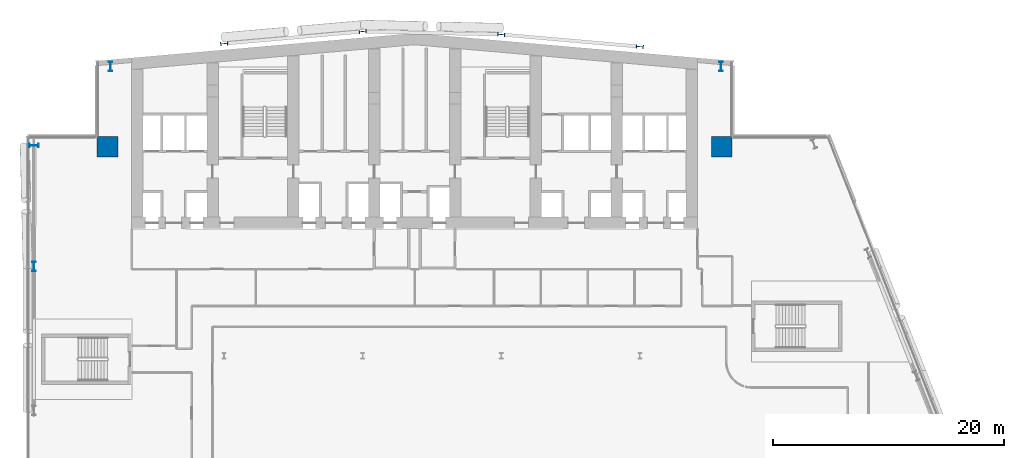
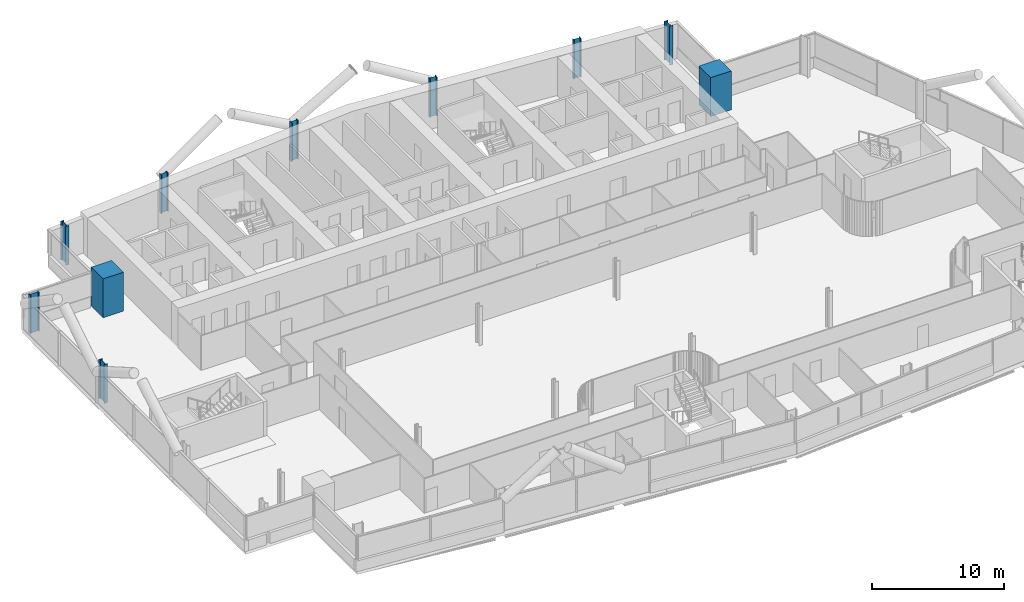
# One storey, part 3 of 30: 10 columns.
"""IFC4 building model written with IfcOpenShell, lengths in metres."""

from ifc_helpers import new_model, si_unit, direction, frame, origin, origin_2d, place, context, subcontext, project, spatial, rectangle, i_section, extrude, material, material_profile, profile_set, type_object, element, save


model = new_model("IFC4")

# Units and contexts
model_context = context("Model", 3, precision=1e-05, world=origin(), true_north=direction((0.0, 1.0)))
body_context = subcontext(model_context, "Body", "Model", "MODEL_VIEW")
ifc_project = project(units=[si_unit("LENGTHUNIT", "METRE"), si_unit("AREAUNIT", "SQUARE_METRE"), si_unit("VOLUMEUNIT", "CUBIC_METRE"), si_unit("PLANEANGLEUNIT", "RADIAN"), si_unit("MASSUNIT", "GRAM", prefix="KILO")], contexts=[model_context])

# Site, building, storey
site_placement = place(None, origin())
site = spatial("IfcSite", under=ifc_project, at=site_placement, CompositionType="ELEMENT")
building_placement = place(site_placement, origin())
building = spatial("IfcBuilding", under=site, at=building_placement, Name="Wharfspan Tower", CompositionType="ELEMENT")
storey_placement = place(building_placement, frame((0.0, 0.0, 107.5)))
storey = spatial("IfcBuildingStorey", under=building, at=storey_placement, Name="L24", CompositionType="ELEMENT", Elevation=107.5)

# Columns
ifc_material_1 = material(Name="Steel S355J2", Category="steel")
ifc_material_profile_1 = material_profile(ifc_material_1, i_section(OverallWidth=0.304932, OverallDepth=0.620117, WebThickness=0.020996, FlangeThickness=0.040039, FilletRadius=0.0271, at=origin_2d()))
ifc_profile_set_1 = profile_set([ifc_material_profile_1], Name="Steel S355J2")
column_type_1 = type_object("IfcColumnType", Name="Column HEM 600", PredefinedType="COLUMN", material=ifc_profile_set_1)
for number, where, z_axis, x_axis, name in (
    (1, (24.0, 50.027344, 0.0), (0.0, 0.0, 1.0), (-0.087156, 0.996198, 0.0), "Rear column R.1 L24"),
    (2, (36.0, 51.077148, 0.0), (0.0, 0.0, 1.0), (-0.087156, 0.996198, 0.0), "Rear column R.2 L24"),
    (3, (48.0, 50.814697, 0.0), (0.0, 0.0, 1.0), (0.087156, 0.996198, 0.0), "Rear column R.3 L24"),
    (4, (60.0, 49.764893, 0.0), (0.0, 0.0, 1.0), (0.087156, 0.996198, 0.0), "Rear column R.4 L24"),
):
    element("IfcColumn", number, at=place(storey_placement, frame(where, z_axis=z_axis, x_axis=x_axis)), inside=storey, type_object=column_type_1, Name=name, PredefinedType="COLUMN", context=body_context, shape_type="SweptSolid", body=[
        extrude(i_section(OverallWidth=0.304932, OverallDepth=0.620117, WebThickness=0.020996, FlangeThickness=0.040039, FilletRadius=0.0271, at=origin_2d()), origin(), (0.0, 0.0, 1.0), 3.600098),
    ])
ifc_material_profile_2 = material_profile(ifc_material_1, i_section(OverallWidth=0.302979, OverallDepth=0.813965, WebThickness=0.020996, FlangeThickness=0.040039, FilletRadius=0.030029, at=origin_2d()))
ifc_profile_set_2 = profile_set([ifc_material_profile_2], Name="Steel S355J2")
column_type_2 = type_object("IfcColumnType", Name="Column HEM 800", PredefinedType="COLUMN", material=ifc_profile_set_2)
for number, where, z_axis, x_axis, name in (
    (5, (67.031982, 48.035645, 0.0), (0.0, 0.0, 1.0), (1.0, 0.0, 0.0), "Perimeter column PNRE-V.1 L24"),
    (6, (14.171631, 48.03418, 0.0), (0.0, 0.0, 1.0), (-1.0, 0.0, 0.0), "Perimeter column PNRW-V.1 L24"),
    (7, (7.544434, 41.208008, 0.0), (0.0, 0.0, 1.0), (0.0, 1.0, 0.0), "Perimeter column PNRW-H.1 L24"),
    (8, (7.540039, 30.733398, 0.0), (0.0, 0.0, 1.0), (-1.0, 0.0, 0.0), "Perimeter column PW.1 L24"),
):
    element("IfcColumn", number, at=place(storey_placement, frame(where, z_axis=z_axis, x_axis=x_axis)), inside=storey, type_object=column_type_2, Name=name, PredefinedType="COLUMN", context=body_context, shape_type="SweptSolid", body=[
        extrude(i_section(OverallWidth=0.302979, OverallDepth=0.813965, WebThickness=0.020996, FlangeThickness=0.040039, FilletRadius=0.030029, at=origin_2d()), origin(), (0.0, 0.0, 1.0), 3.600098),
    ])
ifc_material_2 = material(Name="Concrete C70/85", Category="concrete")
ifc_material_profile_3 = material_profile(ifc_material_2, rectangle(XDim=1.800049, YDim=1.800049, at=origin_2d()))
ifc_profile_set_3 = profile_set([ifc_material_profile_3], Name="Concrete C70/85")
column_type_3 = type_object("IfcColumnType", Name="Mega column 1800 C70/85", PredefinedType="COLUMN", material=ifc_profile_set_3)
for number, where, z_axis, x_axis, name in (
    (9, (13.899902, 41.100098, 0.0), (0.0, 0.0, 1.0), (1.0, 0.0, 0.0), "Mega column MC2 L24"),
    (10, (67.100098, 41.100098, 0.0), (0.0, 0.0, 1.0), (1.0, 0.0, 0.0), "Mega column MC3 L24"),
):
    element("IfcColumn", number, at=place(storey_placement, frame(where, z_axis=z_axis, x_axis=x_axis)), inside=storey, type_object=column_type_3, Name=name, PredefinedType="COLUMN", context=body_context, shape_type="SweptSolid", body=[
        extrude(rectangle(XDim=1.800049, YDim=1.800049, at=origin_2d()), origin(), (0.0, 0.0, 1.0), 3.600098),
    ])

save(model, "model.ifc")
